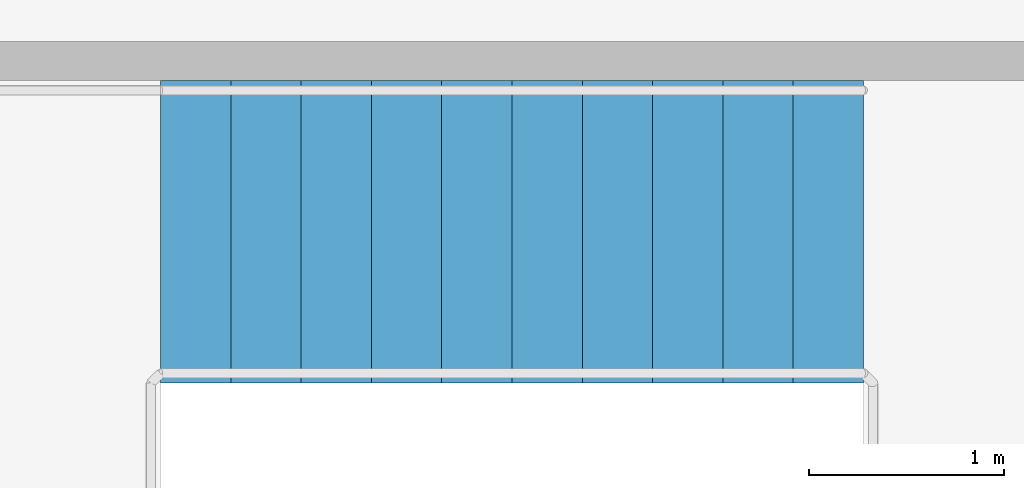
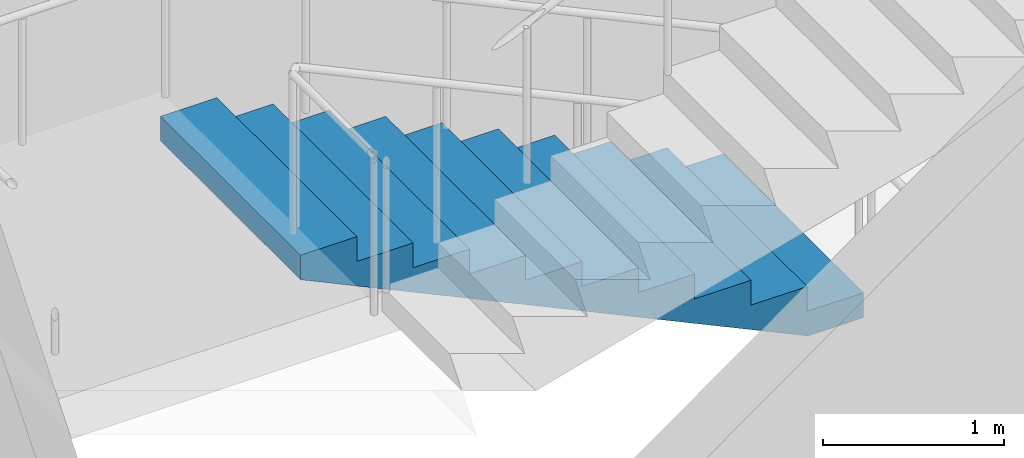
# One storey, part 12 of 14: 1 stair flight, 1 element without a shape of its own.
"""IFC4 building model written with IfcOpenShell, lengths in metres."""

from ifc_helpers import new_model, si_unit, direction, frame, origin, place, context, subcontext, project, spatial, polyline, outline, extrude, material, type_object, element, aggregate, save


model = new_model("IFC4")

# Units and contexts
model_context = context("Model", 3, precision=1e-05, world=origin(), true_north=direction((0.0, 1.0)))
body_context = subcontext(model_context, "Body", "Model", "MODEL_VIEW")
ifc_project = project(units=[si_unit("LENGTHUNIT", "METRE"), si_unit("AREAUNIT", "SQUARE_METRE"), si_unit("VOLUMEUNIT", "CUBIC_METRE"), si_unit("PLANEANGLEUNIT", "RADIAN"), si_unit("MASSUNIT", "GRAM", prefix="KILO")], contexts=[model_context])

# Site, building, storey
site_placement = place(None, origin())
site = spatial("IfcSite", under=ifc_project, at=site_placement, CompositionType="ELEMENT")
building_placement = place(site_placement, origin())
building = spatial("IfcBuilding", under=site, at=building_placement, Name="Kemantara Hotel Tower", CompositionType="ELEMENT")
storey_placement = place(building_placement, frame((0.0, 0.0, 248.699951171875)))
storey = spatial("IfcBuildingStorey", under=building, at=storey_placement, Name="L62", CompositionType="ELEMENT", Elevation=248.699951171875)

# Stair, stair flight
ifc_material = material(Name="Concrete fc 40 MPa", Category="concrete")
stair_type = type_object("IfcStairType", Name="Stair 1550 wide 22 risers of 168 x 360 mm", PredefinedType="HALF_TURN_STAIR", material=ifc_material)
stair_placement = place(storey_placement, origin())
stair = element("IfcStair", 1, at=stair_placement, inside=storey, type_object=stair_type, Name="L62 Exit stair ST4", PredefinedType="HALF_TURN_STAIR")
stair_flight_type = type_object("IfcStairFlightType", Name="Stair flight 1550 wide 168 x 360 mm", PredefinedType="STRAIGHT", material=ifc_material)
stair_flight_placement = place(storey_placement, frame((7.949951171875, 61.22509765625, 0.0), z_axis=(0.0, 0.0, 1.0), x_axis=(-1.0, 0.0, 0.0)))
stair_flight = element("IfcStairFlight", 2, at=stair_flight_placement, type_object=stair_flight_type, Name="ST4 flight 1", NumberOfRisers=11, NumberOfTreads=10, PredefinedType="STRAIGHT", RiserHeight=0.168181818, TreadLength=0.36, context=body_context, shape_type="SweptSolid", body=[
    extrude(outline(polyline([(0.0, 0.0), (0.0, 0.168212890625), (0.360107421875, 0.168212890625), (0.360107421875, 0.33642578125), (0.719970703125, 0.33642578125), (0.719970703125, 0.504638671875), (1.080078125, 0.504638671875), (1.080078125, 0.672607421875), (1.43994140625, 0.672607421875), (1.43994140625, 0.8408203125), (1.800048828125, 0.8408203125), (1.800048828125, 1.009033203125), (2.159912109375, 1.009033203125), (2.159912109375, 1.17724609375), (2.52001953125, 1.17724609375), (2.52001953125, 1.345458984375), (2.8798828125, 1.345458984375), (2.8798828125, 1.513671875), (3.239990234375, 1.513671875), (3.239990234375, 1.681884765625), (3.60009765625, 1.681884765625), (3.60009765625, 1.85009765625), (3.60009765625, 1.516357421875), (0.354248046875, 0.0), (0.0, 0.0)])), frame((0.0, 0.77490234375, 0.0), z_axis=(0.0, -1.0, 0.0), x_axis=(1.0, 0.0, 0.0)), (0.0, 0.0, 1.0), 1.550048828125),
])
aggregate(stair, [stair_flight])

save(model, "model.ifc")
